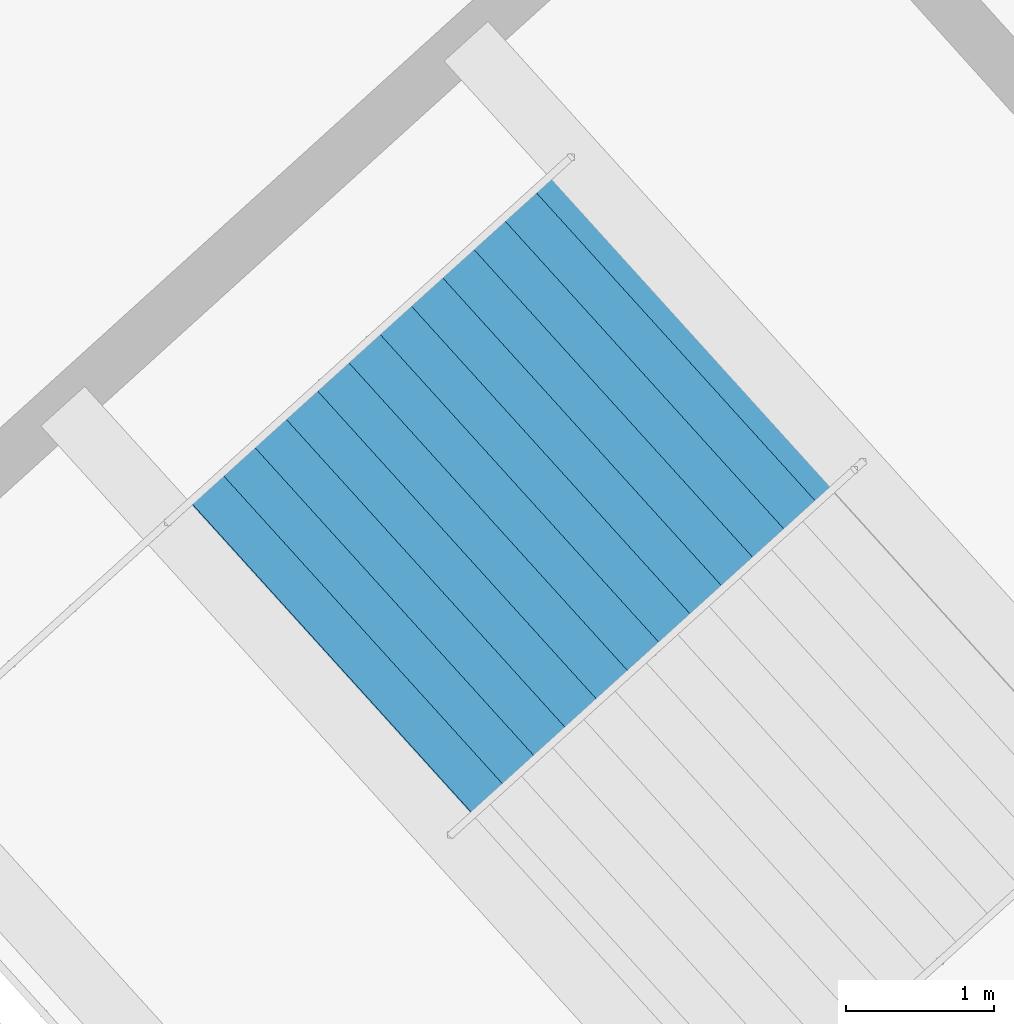
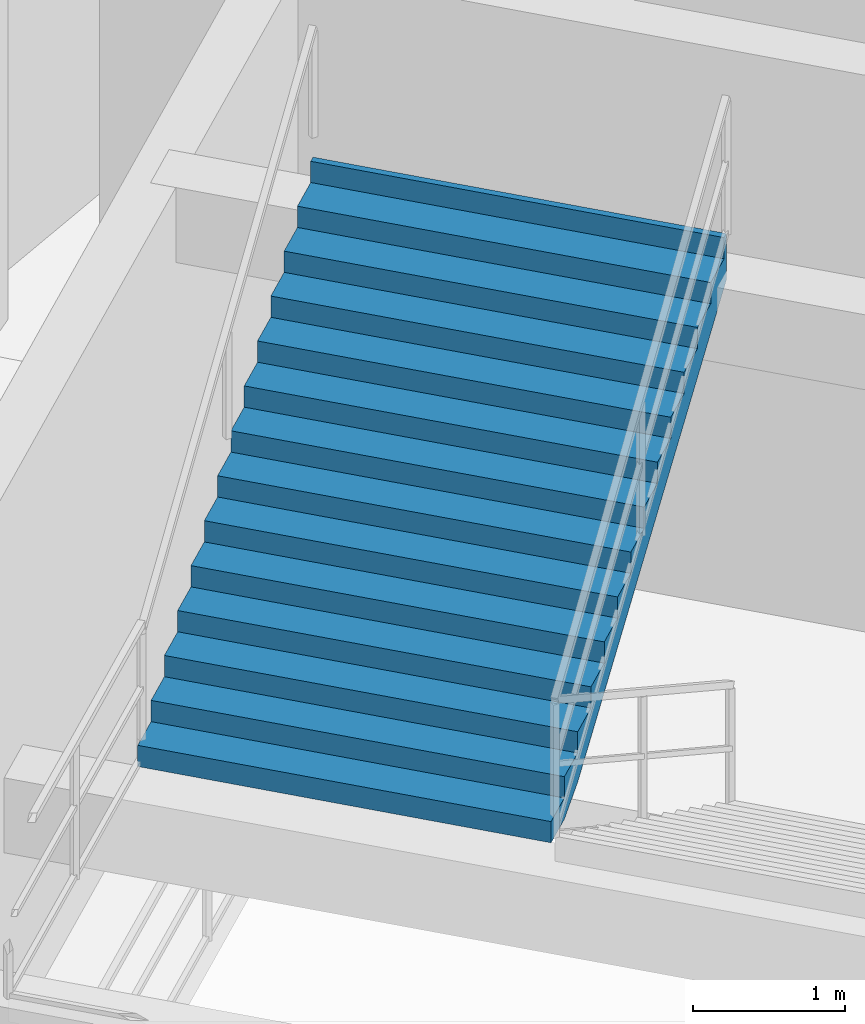
# One storey, part 157 of 171: 1 stair flight, 1 element without a shape of its own.
"""IFC4 building model written with IfcOpenShell, lengths in metres."""

from ifc_helpers import new_model, si_unit, direction, frame, origin, place, context, subcontext, project, spatial, polygons, material, type_object, element, aggregate, save


model = new_model("IFC4")

# Units and contexts
model_context = context("Model", 3, precision=1e-05, world=origin(), true_north=direction((0.0, 1.0)))
body_context = subcontext(model_context, "Body", "Model", "MODEL_VIEW")
ifc_project = project(units=[si_unit("LENGTHUNIT", "METRE"), si_unit("AREAUNIT", "SQUARE_METRE"), si_unit("VOLUMEUNIT", "CUBIC_METRE"), si_unit("PLANEANGLEUNIT", "RADIAN"), si_unit("MASSUNIT", "GRAM", prefix="KILO")], contexts=[model_context])

# Site, building, storey
site_placement = place(None, origin())
site = spatial("IfcSite", under=ifc_project, at=site_placement, CompositionType="ELEMENT")
building_placement = place(site_placement, origin())
building = spatial("IfcBuilding", under=site, at=building_placement, Name="Kazemori Nagisa Stadium", CompositionType="ELEMENT")
storey_placement = place(building_placement, frame((0.0, 0.0, 15.639892578125)))
storey = spatial("IfcBuildingStorey", under=building, at=storey_placement, Name="L03", CompositionType="ELEMENT", Elevation=15.639892578125)

# Stair, stair flight
ifc_material = material(Name="Concrete C36/45 (Fc36)", Category="concrete")
stair_type = type_object("IfcStairType", Name="Stair_CORE_28", PredefinedType="TWO_STRAIGHT_RUN_STAIR", material=ifc_material)
stair_placement = place(storey_placement, origin())
stair = element("IfcStair", 1, at=stair_placement, inside=storey, type_object=stair_type, Name="Exit stair ST02 L03", PredefinedType="TWO_STRAIGHT_RUN_STAIR")
stair_flight_type = type_object("IfcStairFlightType", Name="Flight_CORE_14", PredefinedType="STRAIGHT", material=ifc_material)
stair_flight_placement = place(storey_placement, frame((58.468505859375, 164.128662109375, 2.380126953125), z_axis=(0.0, 0.0, 1.0), x_axis=(0.741324991793, 0.671146225903, 0.0)))
stair_flight = element("IfcStairFlight", 2, at=stair_flight_placement, type_object=stair_flight_type, Name="Exit stair ST02 L03 flight 2", NumberOfRisers=14, NumberOfTreads=13, PredefinedType="STRAIGHT", RiserHeight=0.17, TreadLength=0.285, context=body_context, shape_type="Tessellation", body=[
    polygons([(0.0, -1.425048828125, 0.0), (0.0, -1.425048828125, 0.169921875), (0.284912109375, -1.425048828125, 0.169921875), (0.284912109375, -1.425048828125, 0.340087890625), (0.570068359375, -1.425048828125, 0.340087890625), (0.570068359375, -1.425048828125, 0.510009765625), (0.85498046875, -1.425048828125, 0.510009765625), (0.85498046875, -1.425048828125, 0.679931640625), (1.139892578125, -1.425048828125, 0.679931640625), (1.139892578125, -1.425048828125, 0.85009765625), (1.425048828125, -1.425048828125, 0.85009765625), (1.425048828125, -1.425048828125, 1.02001953125), (1.7099609375, -1.425048828125, 1.02001953125), (1.7099609375, -1.425048828125, 1.18994140625), (1.9951171875, -1.425048828125, 1.18994140625), (1.9951171875, -1.425048828125, 1.360107421875), (2.280029296875, -1.425048828125, 1.360107421875), (2.280029296875, -1.425048828125, 1.530029296875), (2.56494140625, -1.425048828125, 1.530029296875), (2.56494140625, -1.425048828125, 1.699951171875), (2.85009765625, -1.425048828125, 1.699951171875), (2.85009765625, -1.425048828125, 1.8701171875), (3.135009765625, -1.425048828125, 1.8701171875), (3.135009765625, -1.425048828125, 2.0400390625), (3.419921875, -1.425048828125, 2.0400390625), (3.419921875, -1.425048828125, 2.2099609375), (3.705078125, -1.425048828125, 2.2099609375), (3.705078125, -1.425048828125, 2.3798828125), (3.7548828125, -1.425048828125, 2.3798828125), (3.7548828125, -1.425048828125, 2.007080078125), (3.705078125, -1.425048828125, 1.977294921875), (3.419921875, -1.425048828125, 1.80712890625), (3.135009765625, -1.425048828125, 1.63720703125), (2.85009765625, -1.425048828125, 1.46728515625), (2.56494140625, -1.425048828125, 1.297119140625), (2.280029296875, -1.425048828125, 1.127197265625), (1.9951171875, -1.425048828125, 0.957275390625), (1.7099609375, -1.425048828125, 0.787109375), (1.425048828125, -1.425048828125, 0.6171875), (1.139892578125, -1.425048828125, 0.447265625), (0.85498046875, -1.425048828125, 0.277099609375), (0.570068359375, -1.425048828125, 0.107177734375), (0.284912109375, -1.425048828125, 0.0), (0.0, -0.08544921875, 0.0), (0.0, -0.08544921875, 0.169921875), (0.284912109375, -0.08544921875, 0.169921875), (0.284912109375, -0.08544921875, 0.340087890625), (0.570068359375, -0.08544921875, 0.340087890625), (0.570068359375, -0.08544921875, 0.510009765625), (0.85498046875, -0.08544921875, 0.510009765625), (0.85498046875, -0.08544921875, 0.679931640625), (1.139892578125, -0.08544921875, 0.679931640625), (1.139892578125, -0.08544921875, 0.85009765625), (1.425048828125, -0.08544921875, 0.85009765625), (1.425048828125, -0.08544921875, 1.02001953125), (1.7099609375, -0.08544921875, 1.02001953125), (1.7099609375, -0.08544921875, 1.18994140625), (1.9951171875, -0.08544921875, 1.18994140625), (1.9951171875, -0.08544921875, 1.360107421875), (2.280029296875, -0.08544921875, 1.360107421875), (2.280029296875, -0.08544921875, 1.530029296875), (2.56494140625, -0.08544921875, 1.530029296875), (2.56494140625, -0.08544921875, 1.699951171875), (2.85009765625, -0.08544921875, 1.699951171875), (2.85009765625, -0.08544921875, 1.8701171875), (3.135009765625, -0.08544921875, 1.8701171875), (3.135009765625, -0.08544921875, 2.0400390625), (3.419921875, -0.08544921875, 2.0400390625), (3.419921875, -0.08544921875, 2.2099609375), (3.705078125, -0.08544921875, 2.2099609375), (3.705078125, -0.08544921875, 2.3798828125), (3.7548828125, -0.08544921875, 2.3798828125), (3.7548828125, -0.08544921875, 2.007080078125), (3.705078125, -0.08544921875, 1.977294921875), (3.419921875, -0.08544921875, 1.80712890625), (3.135009765625, -0.08544921875, 1.63720703125), (2.85009765625, -0.08544921875, 1.46728515625), (2.56494140625, -0.08544921875, 1.297119140625), (2.280029296875, -0.08544921875, 1.127197265625), (1.9951171875, -0.08544921875, 0.957275390625), (1.7099609375, -0.08544921875, 0.787109375), (1.425048828125, -0.08544921875, 0.6171875), (1.139892578125, -0.08544921875, 0.447265625), (0.85498046875, -0.08544921875, 0.277099609375), (0.570068359375, -0.08544921875, 0.107177734375), (0.284912109375, -0.08544921875, 0.0), (0.0, 0.0, 0.0), (0.0, 0.0, 0.169921875), (0.284912109375, 0.0, 0.169921875), (0.284912109375, 0.0, 0.340087890625), (0.570068359375, 0.0, 0.340087890625), (0.570068359375, 0.0, 0.510009765625), (0.85498046875, 0.0, 0.510009765625), (0.85498046875, 0.0, 0.679931640625), (1.139892578125, 0.0, 0.679931640625), (1.139892578125, 0.0, 0.85009765625), (1.425048828125, 0.0, 0.85009765625), (1.425048828125, 0.0, 1.02001953125), (1.7099609375, 0.0, 1.02001953125), (1.7099609375, 0.0, 1.18994140625), (1.9951171875, 0.0, 1.18994140625), (1.9951171875, 0.0, 1.360107421875), (2.280029296875, 0.0, 1.360107421875), (2.280029296875, 0.0, 1.530029296875), (2.56494140625, 0.0, 1.530029296875), (2.56494140625, 0.0, 1.699951171875), (2.85009765625, 0.0, 1.699951171875), (2.85009765625, 0.0, 1.8701171875), (3.135009765625, 0.0, 1.8701171875), (3.135009765625, 0.0, 2.0400390625), (3.419921875, 0.0, 2.0400390625), (3.419921875, 0.0, 2.2099609375), (3.705078125, 0.0, 2.2099609375), (3.705078125, 0.0, 2.3798828125), (3.7548828125, 0.0, 2.3798828125), (3.7548828125, 0.0, 2.007080078125), (3.705078125, 0.0, 1.977294921875), (3.419921875, 0.0, 1.80712890625), (3.135009765625, 0.0, 1.63720703125), (2.85009765625, 0.0, 1.46728515625), (2.56494140625, 0.0, 1.297119140625), (2.280029296875, 0.0, 1.127197265625), (1.9951171875, 0.0, 0.957275390625), (1.7099609375, 0.0, 0.787109375), (1.425048828125, 0.0, 0.6171875), (1.139892578125, 0.0, 0.447265625), (0.85498046875, 0.0, 0.277099609375), (0.570068359375, 0.0, 0.107177734375), (0.284912109375, 0.0, 0.0), (0.0, 0.08544921875, 0.0), (0.0, 0.08544921875, 0.169921875), (0.284912109375, 0.08544921875, 0.169921875), (0.284912109375, 0.08544921875, 0.340087890625), (0.570068359375, 0.08544921875, 0.340087890625), (0.570068359375, 0.08544921875, 0.510009765625), (0.85498046875, 0.08544921875, 0.510009765625), (0.85498046875, 0.08544921875, 0.679931640625), (1.139892578125, 0.08544921875, 0.679931640625), (1.139892578125, 0.08544921875, 0.85009765625), (1.425048828125, 0.08544921875, 0.85009765625), (1.425048828125, 0.08544921875, 1.02001953125), (1.7099609375, 0.08544921875, 1.02001953125), (1.7099609375, 0.08544921875, 1.18994140625), (1.9951171875, 0.08544921875, 1.18994140625), (1.9951171875, 0.08544921875, 1.360107421875), (2.280029296875, 0.08544921875, 1.360107421875), (2.280029296875, 0.08544921875, 1.530029296875), (2.56494140625, 0.08544921875, 1.530029296875), (2.56494140625, 0.08544921875, 1.699951171875), (2.85009765625, 0.08544921875, 1.699951171875), (2.85009765625, 0.08544921875, 1.8701171875), (3.135009765625, 0.08544921875, 1.8701171875), (3.135009765625, 0.08544921875, 2.0400390625), (3.419921875, 0.08544921875, 2.0400390625), (3.419921875, 0.08544921875, 2.2099609375), (3.705078125, 0.08544921875, 2.2099609375), (3.705078125, 0.08544921875, 2.3798828125), (3.7548828125, 0.08544921875, 2.3798828125), (3.7548828125, 0.08544921875, 2.007080078125), (3.705078125, 0.08544921875, 1.977294921875), (3.419921875, 0.08544921875, 1.80712890625), (3.135009765625, 0.08544921875, 1.63720703125), (2.85009765625, 0.08544921875, 1.46728515625), (2.56494140625, 0.08544921875, 1.297119140625), (2.280029296875, 0.08544921875, 1.127197265625), (1.9951171875, 0.08544921875, 0.957275390625), (1.7099609375, 0.08544921875, 0.787109375), (1.425048828125, 0.08544921875, 0.6171875), (1.139892578125, 0.08544921875, 0.447265625), (0.85498046875, 0.08544921875, 0.277099609375), (0.570068359375, 0.08544921875, 0.107177734375), (0.284912109375, 0.08544921875, 0.0), (0.0, 1.425048828125, 0.0), (0.0, 1.425048828125, 0.169921875), (0.284912109375, 1.425048828125, 0.169921875), (0.284912109375, 1.425048828125, 0.340087890625), (0.570068359375, 1.425048828125, 0.340087890625), (0.570068359375, 1.425048828125, 0.510009765625), (0.85498046875, 1.425048828125, 0.510009765625), (0.85498046875, 1.425048828125, 0.679931640625), (1.139892578125, 1.425048828125, 0.679931640625), (1.139892578125, 1.425048828125, 0.85009765625), (1.425048828125, 1.425048828125, 0.85009765625), (1.425048828125, 1.425048828125, 1.02001953125), (1.7099609375, 1.425048828125, 1.02001953125), (1.7099609375, 1.425048828125, 1.18994140625), (1.9951171875, 1.425048828125, 1.18994140625), (1.9951171875, 1.425048828125, 1.360107421875), (2.280029296875, 1.425048828125, 1.360107421875), (2.280029296875, 1.425048828125, 1.530029296875), (2.56494140625, 1.425048828125, 1.530029296875), (2.56494140625, 1.425048828125, 1.699951171875), (2.85009765625, 1.425048828125, 1.699951171875), (2.85009765625, 1.425048828125, 1.8701171875), (3.135009765625, 1.425048828125, 1.8701171875), (3.135009765625, 1.425048828125, 2.0400390625), (3.419921875, 1.425048828125, 2.0400390625), (3.419921875, 1.425048828125, 2.2099609375), (3.705078125, 1.425048828125, 2.2099609375), (3.705078125, 1.425048828125, 2.3798828125), (3.7548828125, 1.425048828125, 2.3798828125), (3.7548828125, 1.425048828125, 2.007080078125), (3.705078125, 1.425048828125, 1.977294921875), (3.419921875, 1.425048828125, 1.80712890625), (3.135009765625, 1.425048828125, 1.63720703125), (2.85009765625, 1.425048828125, 1.46728515625), (2.56494140625, 1.425048828125, 1.297119140625), (2.280029296875, 1.425048828125, 1.127197265625), (1.9951171875, 1.425048828125, 0.957275390625), (1.7099609375, 1.425048828125, 0.787109375), (1.425048828125, 1.425048828125, 0.6171875), (1.139892578125, 1.425048828125, 0.447265625), (0.85498046875, 1.425048828125, 0.277099609375), (0.570068359375, 1.425048828125, 0.107177734375), (0.284912109375, 1.425048828125, 0.0)], [[[1, 2, 45]], [[1, 45, 44]], [[2, 3, 46]], [[2, 46, 45]], [[3, 4, 47]], [[3, 47, 46]], [[4, 5, 48]], [[4, 48, 47]], [[5, 6, 49]], [[5, 49, 48]], [[6, 7, 50]], [[6, 50, 49]], [[7, 8, 51]], [[7, 51, 50]], [[8, 9, 52]], [[8, 52, 51]], [[9, 10, 53]], [[9, 53, 52]], [[10, 11, 54]], [[10, 54, 53]], [[11, 12, 55]], [[11, 55, 54]], [[12, 13, 56]], [[12, 56, 55]], [[13, 14, 57]], [[13, 57, 56]], [[14, 15, 58]], [[14, 58, 57]], [[15, 16, 59]], [[15, 59, 58]], [[16, 17, 60]], [[16, 60, 59]], [[17, 18, 61]], [[17, 61, 60]], [[18, 19, 62]], [[18, 62, 61]], [[19, 20, 63]], [[19, 63, 62]], [[20, 21, 64]], [[20, 64, 63]], [[21, 22, 65]], [[21, 65, 64]], [[22, 23, 66]], [[22, 66, 65]], [[23, 24, 67]], [[23, 67, 66]], [[24, 25, 68]], [[24, 68, 67]], [[25, 26, 69]], [[25, 69, 68]], [[26, 27, 70]], [[26, 70, 69]], [[27, 28, 71]], [[27, 71, 70]], [[28, 29, 72]], [[28, 72, 71]], [[29, 30, 73]], [[29, 73, 72]], [[30, 31, 74]], [[30, 74, 73]], [[31, 32, 75]], [[31, 75, 74]], [[32, 33, 76]], [[32, 76, 75]], [[33, 34, 77]], [[33, 77, 76]], [[34, 35, 78]], [[34, 78, 77]], [[35, 36, 79]], [[35, 79, 78]], [[36, 37, 80]], [[36, 80, 79]], [[37, 38, 81]], [[37, 81, 80]], [[38, 39, 82]], [[38, 82, 81]], [[39, 40, 83]], [[39, 83, 82]], [[40, 41, 84]], [[40, 84, 83]], [[41, 42, 85]], [[41, 85, 84]], [[42, 43, 86]], [[42, 86, 85]], [[43, 1, 44]], [[43, 44, 86]], [[44, 45, 88]], [[44, 88, 87]], [[45, 46, 89]], [[45, 89, 88]], [[46, 47, 90]], [[46, 90, 89]], [[47, 48, 91]], [[47, 91, 90]], [[48, 49, 92]], [[48, 92, 91]], [[49, 50, 93]], [[49, 93, 92]], [[50, 51, 94]], [[50, 94, 93]], [[51, 52, 95]], [[51, 95, 94]], [[52, 53, 96]], [[52, 96, 95]], [[53, 54, 97]], [[53, 97, 96]], [[54, 55, 98]], [[54, 98, 97]], [[55, 56, 99]], [[55, 99, 98]], [[56, 57, 100]], [[56, 100, 99]], [[57, 58, 101]], [[57, 101, 100]], [[58, 59, 102]], [[58, 102, 101]], [[59, 60, 103]], [[59, 103, 102]], [[60, 61, 104]], [[60, 104, 103]], [[61, 62, 105]], [[61, 105, 104]], [[62, 63, 106]], [[62, 106, 105]], [[63, 64, 107]], [[63, 107, 106]], [[64, 65, 108]], [[64, 108, 107]], [[65, 66, 109]], [[65, 109, 108]], [[66, 67, 110]], [[66, 110, 109]], [[67, 68, 111]], [[67, 111, 110]], [[68, 69, 112]], [[68, 112, 111]], [[69, 70, 113]], [[69, 113, 112]], [[70, 71, 114]], [[70, 114, 113]], [[71, 72, 115]], [[71, 115, 114]], [[72, 73, 116]], [[72, 116, 115]], [[73, 74, 117]], [[73, 117, 116]], [[74, 75, 118]], [[74, 118, 117]], [[75, 76, 119]], [[75, 119, 118]], [[76, 77, 120]], [[76, 120, 119]], [[77, 78, 121]], [[77, 121, 120]], [[78, 79, 122]], [[78, 122, 121]], [[79, 80, 123]], [[79, 123, 122]], [[80, 81, 124]], [[80, 124, 123]], [[81, 82, 125]], [[81, 125, 124]], [[82, 83, 126]], [[82, 126, 125]], [[83, 84, 127]], [[83, 127, 126]], [[84, 85, 128]], [[84, 128, 127]], [[85, 86, 129]], [[85, 129, 128]], [[86, 44, 87]], [[86, 87, 129]], [[87, 88, 131]], [[87, 131, 130]], [[88, 89, 132]], [[88, 132, 131]], [[89, 90, 133]], [[89, 133, 132]], [[90, 91, 134]], [[90, 134, 133]], [[91, 92, 135]], [[91, 135, 134]], [[92, 93, 136]], [[92, 136, 135]], [[93, 94, 137]], [[93, 137, 136]], [[94, 95, 138]], [[94, 138, 137]], [[95, 96, 139]], [[95, 139, 138]], [[96, 97, 140]], [[96, 140, 139]], [[97, 98, 141]], [[97, 141, 140]], [[98, 99, 142]], [[98, 142, 141]], [[99, 100, 143]], [[99, 143, 142]], [[100, 101, 144]], [[100, 144, 143]], [[101, 102, 145]], [[101, 145, 144]], [[102, 103, 146]], [[102, 146, 145]], [[103, 104, 147]], [[103, 147, 146]], [[104, 105, 148]], [[104, 148, 147]], [[105, 106, 149]], [[105, 149, 148]], [[106, 107, 150]], [[106, 150, 149]], [[107, 108, 151]], [[107, 151, 150]], [[108, 109, 152]], [[108, 152, 151]], [[109, 110, 153]], [[109, 153, 152]], [[110, 111, 154]], [[110, 154, 153]], [[111, 112, 155]], [[111, 155, 154]], [[112, 113, 156]], [[112, 156, 155]], [[113, 114, 157]], [[113, 157, 156]], [[114, 115, 158]], [[114, 158, 157]], [[115, 116, 159]], [[115, 159, 158]], [[116, 117, 160]], [[116, 160, 159]], [[117, 118, 161]], [[117, 161, 160]], [[118, 119, 162]], [[118, 162, 161]], [[119, 120, 163]], [[119, 163, 162]], [[120, 121, 164]], [[120, 164, 163]], [[121, 122, 165]], [[121, 165, 164]], [[122, 123, 166]], [[122, 166, 165]], [[123, 124, 167]], [[123, 167, 166]], [[124, 125, 168]], [[124, 168, 167]], [[125, 126, 169]], [[125, 169, 168]], [[126, 127, 170]], [[126, 170, 169]], [[127, 128, 171]], [[127, 171, 170]], [[128, 129, 172]], [[128, 172, 171]], [[129, 87, 130]], [[129, 130, 172]], [[130, 131, 174]], [[130, 174, 173]], [[131, 132, 175]], [[131, 175, 174]], [[132, 133, 176]], [[132, 176, 175]], [[133, 134, 177]], [[133, 177, 176]], [[134, 135, 178]], [[134, 178, 177]], [[135, 136, 179]], [[135, 179, 178]], [[136, 137, 180]], [[136, 180, 179]], [[137, 138, 181]], [[137, 181, 180]], [[138, 139, 182]], [[138, 182, 181]], [[139, 140, 183]], [[139, 183, 182]], [[140, 141, 184]], [[140, 184, 183]], [[141, 142, 185]], [[141, 185, 184]], [[142, 143, 186]], [[142, 186, 185]], [[143, 144, 187]], [[143, 187, 186]], [[144, 145, 188]], [[144, 188, 187]], [[145, 146, 189]], [[145, 189, 188]], [[146, 147, 190]], [[146, 190, 189]], [[147, 148, 191]], [[147, 191, 190]], [[148, 149, 192]], [[148, 192, 191]], [[149, 150, 193]], [[149, 193, 192]], [[150, 151, 194]], [[150, 194, 193]], [[151, 152, 195]], [[151, 195, 194]], [[152, 153, 196]], [[152, 196, 195]], [[153, 154, 197]], [[153, 197, 196]], [[154, 155, 198]], [[154, 198, 197]], [[155, 156, 199]], [[155, 199, 198]], [[156, 157, 200]], [[156, 200, 199]], [[157, 158, 201]], [[157, 201, 200]], [[158, 159, 202]], [[158, 202, 201]], [[159, 160, 203]], [[159, 203, 202]], [[160, 161, 204]], [[160, 204, 203]], [[161, 162, 205]], [[161, 205, 204]], [[162, 163, 206]], [[162, 206, 205]], [[163, 164, 207]], [[163, 207, 206]], [[164, 165, 208]], [[164, 208, 207]], [[165, 166, 209]], [[165, 209, 208]], [[166, 167, 210]], [[166, 210, 209]], [[167, 168, 211]], [[167, 211, 210]], [[168, 169, 212]], [[168, 212, 211]], [[169, 170, 213]], [[169, 213, 212]], [[170, 171, 214]], [[170, 214, 213]], [[171, 172, 215]], [[171, 215, 214]], [[172, 130, 173]], [[172, 173, 215]], [[3, 2, 1]], [[173, 174, 175]], [[43, 3, 1]], [[173, 175, 215]], [[42, 3, 43]], [[215, 175, 214]], [[5, 3, 42]], [[214, 175, 177]], [[5, 4, 3]], [[175, 176, 177]], [[41, 5, 42]], [[214, 177, 213]], [[7, 5, 41]], [[213, 177, 179]], [[7, 6, 5]], [[177, 178, 179]], [[40, 7, 41]], [[213, 179, 212]], [[9, 7, 40]], [[212, 179, 181]], [[9, 8, 7]], [[179, 180, 181]], [[39, 9, 40]], [[212, 181, 211]], [[11, 9, 39]], [[211, 181, 183]], [[11, 10, 9]], [[181, 182, 183]], [[38, 11, 39]], [[211, 183, 210]], [[13, 11, 38]], [[210, 183, 185]], [[13, 12, 11]], [[183, 184, 185]], [[37, 13, 38]], [[210, 185, 209]], [[15, 13, 37]], [[209, 185, 187]], [[15, 14, 13]], [[185, 186, 187]], [[36, 15, 37]], [[209, 187, 208]], [[17, 15, 36]], [[208, 187, 189]], [[17, 16, 15]], [[187, 188, 189]], [[35, 17, 36]], [[208, 189, 207]], [[19, 17, 35]], [[207, 189, 191]], [[19, 18, 17]], [[189, 190, 191]], [[34, 19, 35]], [[207, 191, 206]], [[21, 19, 34]], [[206, 191, 193]], [[21, 20, 19]], [[191, 192, 193]], [[33, 21, 34]], [[206, 193, 205]], [[23, 21, 33]], [[205, 193, 195]], [[23, 22, 21]], [[193, 194, 195]], [[32, 23, 33]], [[205, 195, 204]], [[25, 23, 32]], [[204, 195, 197]], [[25, 24, 23]], [[195, 196, 197]], [[31, 25, 32]], [[204, 197, 203]], [[27, 25, 31]], [[203, 197, 199]], [[27, 26, 25]], [[197, 198, 199]], [[30, 27, 31]], [[203, 199, 202]], [[29, 27, 30]], [[202, 199, 201]], [[29, 28, 27]], [[199, 200, 201]]], closed=True),
])
aggregate(stair, [stair_flight])

save(model, "model.ifc")
